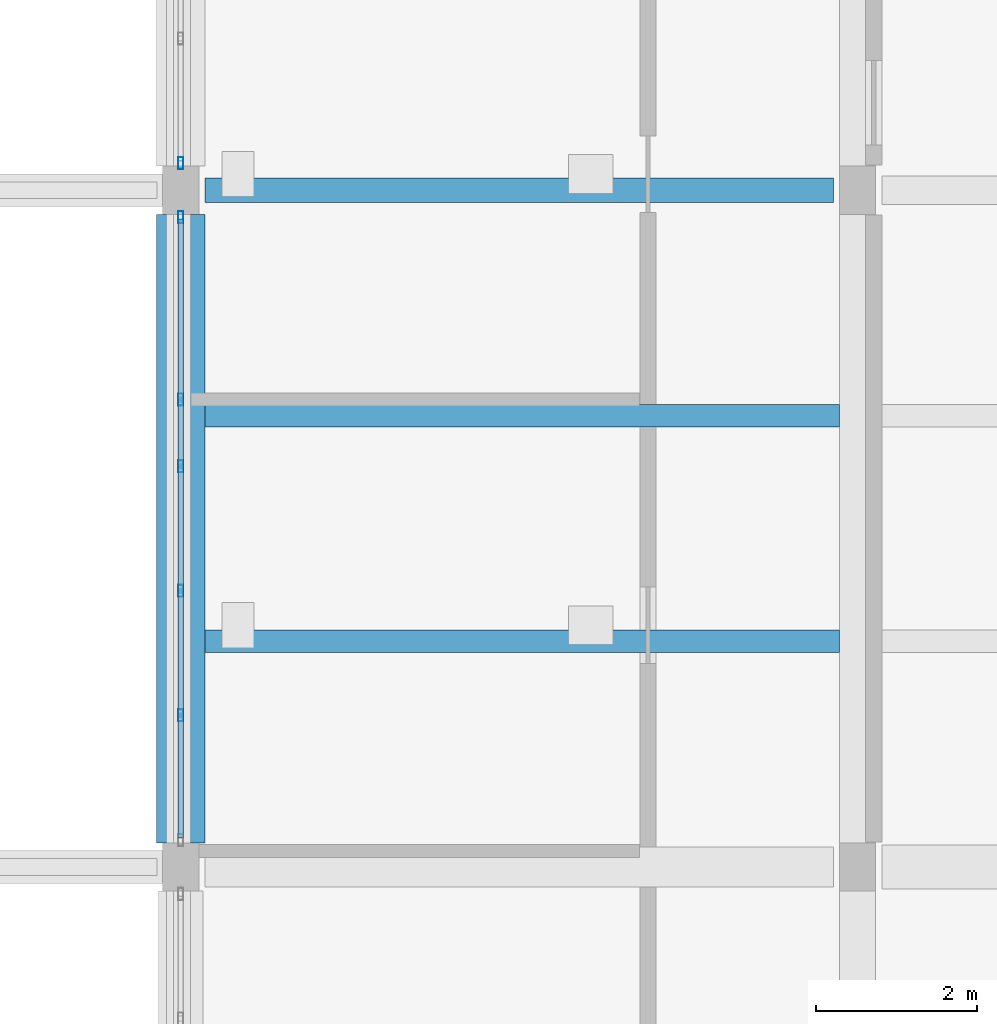
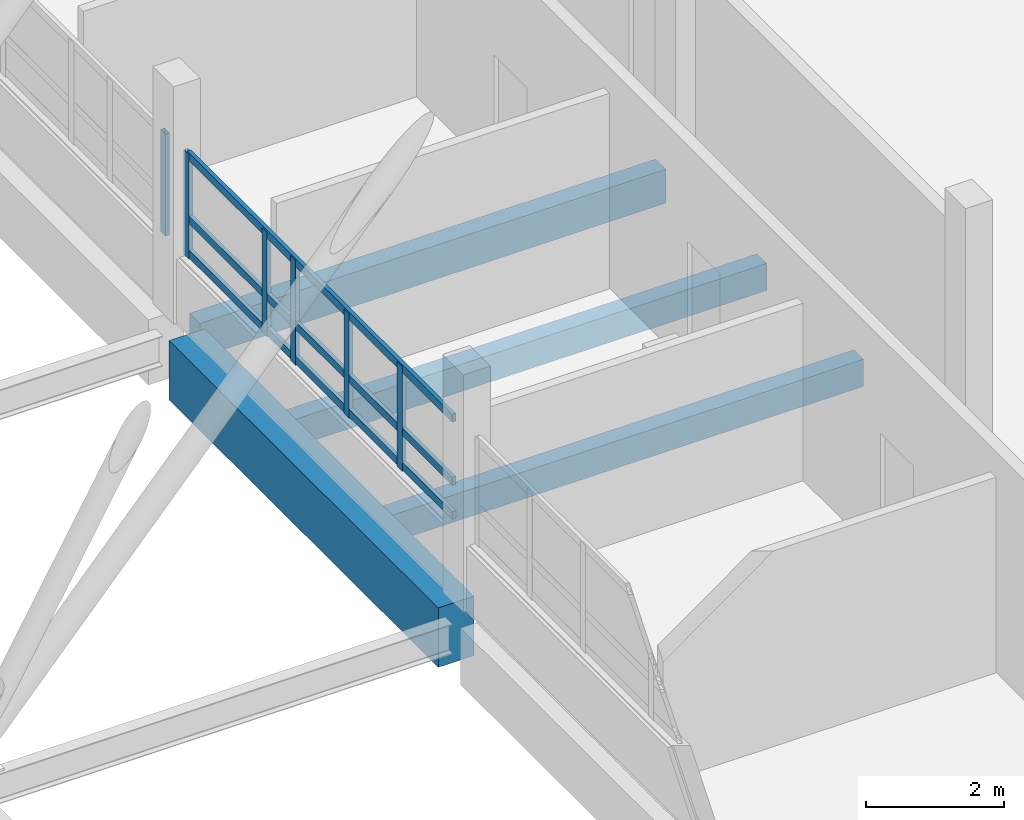
# One storey, part 23 of 107: 9 members, 4 beams, 2 elements without a shape of their own.
"""IFC4 building model written with IfcOpenShell, lengths in metres."""

from ifc_helpers import new_model, si_unit, direction, frame, origin, origin_2d, place, context, subcontext, project, spatial, rectangle, hollow_rectangle, extrude, material, layer, layer_set, material_profile, profile_set, type_object, element, aggregate, save


model = new_model("IFC4")

# Units and contexts
model_context = context("Model", 3, precision=1e-05, world=origin(), true_north=direction((0.0, 1.0)))
body_context = subcontext(model_context, "Body", "Model", "MODEL_VIEW")
ifc_project = project(units=[si_unit("LENGTHUNIT", "METRE"), si_unit("AREAUNIT", "SQUARE_METRE"), si_unit("VOLUMEUNIT", "CUBIC_METRE"), si_unit("PLANEANGLEUNIT", "RADIAN"), si_unit("MASSUNIT", "GRAM", prefix="KILO")], contexts=[model_context])

# Site, building, storey
site_placement = place(None, origin())
site = spatial("IfcSite", under=ifc_project, at=site_placement, CompositionType="ELEMENT")
building_placement = place(site_placement, origin())
building = spatial("IfcBuilding", under=site, at=building_placement, Name="Vireocrest Preparatory School", CompositionType="ELEMENT")
storey_placement = place(building_placement, frame((0.0, 0.0, 13.199951171875)))
storey = spatial("IfcBuildingStorey", under=building, at=storey_placement, Name="L03", CompositionType="ELEMENT", Elevation=13.199951171875)

# Curtain wall, members
ifc_material_1 = material(Name="Thermally broken aluminium EN AW-6063-T6", Category="aluminium")
ifc_layer = layer(ifc_material_1, 0.179931640625)
ifc_layer_set = layer_set([ifc_layer], Name="Thermally broken aluminium EN AW-6063-T6")
curtain_wall_type = type_object("IfcCurtainWallType", Name="Court Banded Curtain Wall 8400x3000", PredefinedType="USERDEFINED", material=ifc_layer_set)
curtain_wall_1_placement = place(storey_placement, origin())
curtain_wall_1 = element("IfcCurtainWall", 1, at=curtain_wall_1_placement, inside=storey, type_object=curtain_wall_type, Name="Curtain Wall CW02 CW_L03_CW02_0924_0525_144", ObjectType="CURTAIN WALL", PredefinedType="USERDEFINED")
ifc_material_profile_1 = material_profile(ifc_material_1, hollow_rectangle(XDim=0.06494140625, YDim=0.14990234375, WallThickness=0.00390625, at=origin_2d()), Name="ALU 65x150x4")
ifc_profile_set_1 = profile_set([ifc_material_profile_1], Name="Thermally broken aluminium EN AW-6063-T6")
member_type_1 = type_object("IfcMemberType", Name="CW Mullion 65x150x4", PredefinedType="MULLION", material=ifc_profile_set_1)
member_1_placement = place(storey_placement, frame((92.39990234375, 54.0810546875, 1.150146484375), z_axis=(0.0, 0.0, 1.0), x_axis=(1.0, 0.0, 0.0)))
member_1 = element("IfcMember", 2, at=member_1_placement, type_object=member_type_1, Name="CW Mullion ML1 CW_L03_CW02_0924_0525_144-2", PredefinedType="MULLION", context=body_context, shape_type="SweptSolid", body=[
    extrude(hollow_rectangle(XDim=0.06494140625, YDim=0.14990234375, WallThickness=0.00390625, at=origin_2d()), origin(), (0.0, 0.0, 1.0), 1.85498046875),
])
member_2_placement = place(storey_placement, frame((92.39990234375, 55.626953125, 1.150146484375), z_axis=(0.0, 0.0, 1.0), x_axis=(1.0, 0.0, 0.0)))
member_2 = element("IfcMember", 3, at=member_2_placement, type_object=member_type_1, Name="CW Mullion ML1 CW_L03_CW02_0924_0525_144-3", PredefinedType="MULLION", context=body_context, shape_type="SweptSolid", body=[
    extrude(hollow_rectangle(XDim=0.06494140625, YDim=0.14990234375, WallThickness=0.00390625, at=origin_2d()), origin(), (0.0, 0.0, 1.0), 1.85498046875),
])
member_3_placement = place(storey_placement, frame((92.39990234375, 57.173095703125, 1.150146484375), z_axis=(0.0, 0.0, 1.0), x_axis=(1.0, 0.0, 0.0)))
member_3 = element("IfcMember", 4, at=member_3_placement, type_object=member_type_1, Name="CW Mullion ML1 CW_L03_CW02_0924_0525_144-4", PredefinedType="MULLION", context=body_context, shape_type="SweptSolid", body=[
    extrude(hollow_rectangle(XDim=0.06494140625, YDim=0.14990234375, WallThickness=0.00390625, at=origin_2d()), origin(), (0.0, 0.0, 1.0), 1.85498046875),
])
member_4_placement = place(storey_placement, frame((92.39990234375, 58.0, 1.150146484375), z_axis=(0.0, 0.0, 1.0), x_axis=(1.0, 0.0, 0.0)))
member_4 = element("IfcMember", 5, at=member_4_placement, type_object=member_type_1, Name="CW Mullion ML1 CW_L03_CW02_0924_0525_144-5", PredefinedType="MULLION", context=body_context, shape_type="SweptSolid", body=[
    extrude(hollow_rectangle(XDim=0.06494140625, YDim=0.14990234375, WallThickness=0.00390625, at=origin_2d()), origin(), (0.0, 0.0, 1.0), 1.85498046875),
])
member_5_placement = place(storey_placement, frame((92.39990234375, 60.264892578125, 1.150146484375), z_axis=(0.0, 0.0, 1.0), x_axis=(1.0, 0.0, 0.0)))
member_5 = element("IfcMember", 6, at=member_5_placement, type_object=member_type_1, Name="CW Mullion ML1 CW_L03_CW02_0924_0525_144-6", PredefinedType="MULLION", context=body_context, shape_type="SweptSolid", body=[
    extrude(hollow_rectangle(XDim=0.06494140625, YDim=0.14990234375, WallThickness=0.00390625, at=origin_2d()), origin(), (0.0, 0.0, 1.0), 1.85498046875),
])

# Curtain wall, member
curtain_wall_2_placement = place(storey_placement, origin())
curtain_wall_2 = element("IfcCurtainWall", 7, at=curtain_wall_2_placement, inside=storey, type_object=curtain_wall_type, Name="Curtain Wall CW02 CW_L03_CW02_0924_0609_144", ObjectType="CURTAIN WALL", PredefinedType="USERDEFINED")
member_6_placement = place(storey_placement, frame((92.39990234375, 60.93505859375, 1.150146484375), z_axis=(0.0, 0.0, 1.0), x_axis=(1.0, 0.0, 0.0)))
member_6 = element("IfcMember", 8, at=member_6_placement, type_object=member_type_1, Name="CW Mullion ML1 CW_L03_CW02_0924_0609_144-1", PredefinedType="MULLION", context=body_context, shape_type="SweptSolid", body=[
    extrude(hollow_rectangle(XDim=0.06494140625, YDim=0.14990234375, WallThickness=0.00390625, at=origin_2d()), origin(), (0.0, 0.0, 1.0), 1.804931640625),
])
aggregate(curtain_wall_2, [member_6])

# Member
ifc_material_profile_2 = material_profile(ifc_material_1, hollow_rectangle(XDim=0.06494140625, YDim=0.139892578125, WallThickness=0.00390625, at=origin_2d()), Name="ALU 65x140x4")
ifc_profile_set_2 = profile_set([ifc_material_profile_2], Name="Thermally broken aluminium EN AW-6063-T6")
member_type_2 = type_object("IfcMemberType", Name="CW Transom 65x140x4", PredefinedType="USERDEFINED", material=ifc_profile_set_2)
member_7_placement = place(storey_placement, frame((92.39990234375, 52.56005859375, 1.2451171875), z_axis=(0.0, 1.0, 0.0), x_axis=(-1.0, 0.0, 0.0)))
member_7 = element("IfcMember", 9, at=member_7_placement, type_object=member_type_2, Name="CW Transom TR1 CW_L03_CW02_0924_0525_144-1", ObjectType="TRANSOM", PredefinedType="USERDEFINED", context=body_context, shape_type="SweptSolid", body=[
    extrude(hollow_rectangle(XDim=0.06494140625, YDim=0.139892578125, WallThickness=0.00390625, at=origin_2d()), origin(), (0.0, 0.0, 1.0), 7.679931640625),
])

member_8_placement = place(storey_placement, frame((92.39990234375, 52.56005859375, 1.85009765625), z_axis=(0.0, 1.0, 0.0), x_axis=(-1.0, 0.0, 0.0)))
member_8 = element("IfcMember", 10, at=member_8_placement, type_object=member_type_2, Name="CW Transom TR1 CW_L03_CW02_0924_0525_144-2", ObjectType="TRANSOM", PredefinedType="USERDEFINED", context=body_context, shape_type="SweptSolid", body=[
    extrude(hollow_rectangle(XDim=0.06494140625, YDim=0.139892578125, WallThickness=0.00390625, at=origin_2d()), origin(), (0.0, 0.0, 1.0), 7.679931640625),
])

member_9_placement = place(storey_placement, frame((92.39990234375, 52.56005859375, 2.965087890625), z_axis=(0.0, 1.0, 0.0), x_axis=(-1.0, 0.0, 0.0)))
member_9 = element("IfcMember", 11, at=member_9_placement, type_object=member_type_2, Name="CW Transom TR1 CW_L03_CW02_0924_0525_144-3", ObjectType="TRANSOM", PredefinedType="USERDEFINED", context=body_context, shape_type="SweptSolid", body=[
    extrude(hollow_rectangle(XDim=0.06494140625, YDim=0.139892578125, WallThickness=0.00390625, at=origin_2d()), origin(), (0.0, 0.0, 1.0), 7.679931640625),
])

aggregate(curtain_wall_1, [member_1, member_2, member_3, member_4, member_5, member_7, member_8, member_9])

# Beams
ifc_material_2 = material(Name="Concrete 40 MPa", Category="concrete")
ifc_material_profile_3 = material_profile(ifc_material_2, rectangle(XDim=0.300048828125, YDim=0.60009765625, at=origin_2d()), Name="RC 300x600")
ifc_profile_set_3 = profile_set([ifc_material_profile_3], Name="Concrete 40 MPa")
beam_type_1 = type_object("IfcBeamType", Name="RC Classroom Beam 300x600", PredefinedType="BEAM", material=ifc_profile_set_3)
beam_1_placement = place(storey_placement, frame((92.699951171875, 60.60009765625, -0.56005859375), z_axis=(1.0, 0.0, 0.0), x_axis=(0.0, 1.0, 0.0)))
element("IfcBeam", 12, at=beam_1_placement, inside=storey, type_object=beam_type_1, Name="Primary Girder B03 L03-1063", PredefinedType="BEAM", context=body_context, shape_type="SweptSolid", body=[
    extrude(rectangle(XDim=0.300048828125, YDim=0.60009765625, at=origin_2d()), origin(), (0.0, 0.0, 1.0), 7.800048828125),
])
ifc_material_profile_4 = material_profile(ifc_material_2, rectangle(XDim=0.280029296875, YDim=0.47998046875, at=origin_2d()), Name="RC 280x480")
ifc_profile_set_4 = profile_set([ifc_material_profile_4], Name="Concrete 40 MPa")
beam_type_2 = type_object("IfcBeamType", Name="RC Secondary Lab Joist 280x480", PredefinedType="JOIST", material=ifc_profile_set_4)
for number, where, z_axis, x_axis, name in (
    (13, (92.699951171875, 55.0, -0.5), (1.0, 0.0, 0.0), (0.0, 1.0, 0.0), "Secondary Joist J02 L03-1245"),
    (14, (92.699951171875, 57.800048828125, -0.5), (1.0, 0.0, 0.0), (0.0, 1.0, 0.0), "Secondary Joist J02 L03-1246"),
):
    element("IfcBeam", number, at=place(storey_placement, frame(where, z_axis=z_axis, x_axis=x_axis)), inside=storey, type_object=beam_type_2, Name=name, PredefinedType="JOIST", context=body_context, shape_type="SweptSolid", body=[
        extrude(rectangle(XDim=0.280029296875, YDim=0.47998046875, at=origin_2d()), origin(), (0.0, 0.0, 1.0), 7.875),
    ])
ifc_material_profile_5 = material_profile(ifc_material_2, rectangle(XDim=0.60009765625, YDim=1.050048828125, at=origin_2d()), Name="RC 600x1050")
ifc_profile_set_5 = profile_set([ifc_material_profile_5], Name="Concrete 40 MPa")
beam_type_3 = type_object("IfcBeamType", Name="RC Transfer Girder 600x1050", PredefinedType="BEAM", material=ifc_profile_set_5)
beam_2_placement = place(storey_placement, frame((92.39990234375, 52.5, -0.784912109375), z_axis=(0.0, 1.0, 0.0), x_axis=(-1.0, 0.0, 0.0)))
element("IfcBeam", 15, at=beam_2_placement, inside=storey, type_object=beam_type_3, Name="Primary Girder B19 L03-1146", PredefinedType="BEAM", context=body_context, shape_type="SweptSolid", body=[
    extrude(rectangle(XDim=0.60009765625, YDim=1.050048828125, at=origin_2d()), origin(), (0.0, 0.0, 1.0), 7.800048828125),
])

save(model, "model.ifc")
